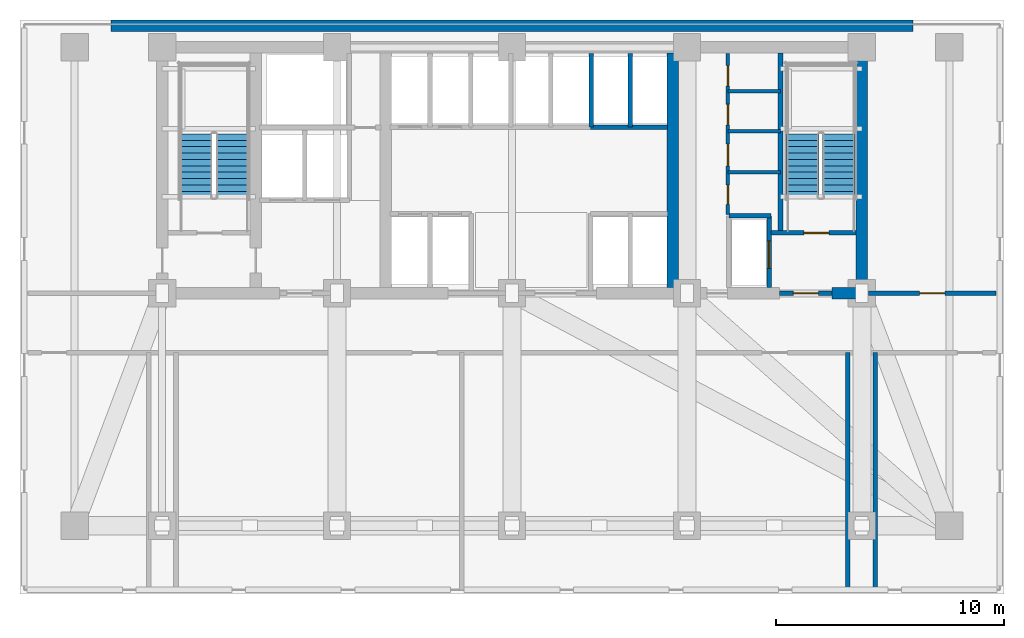
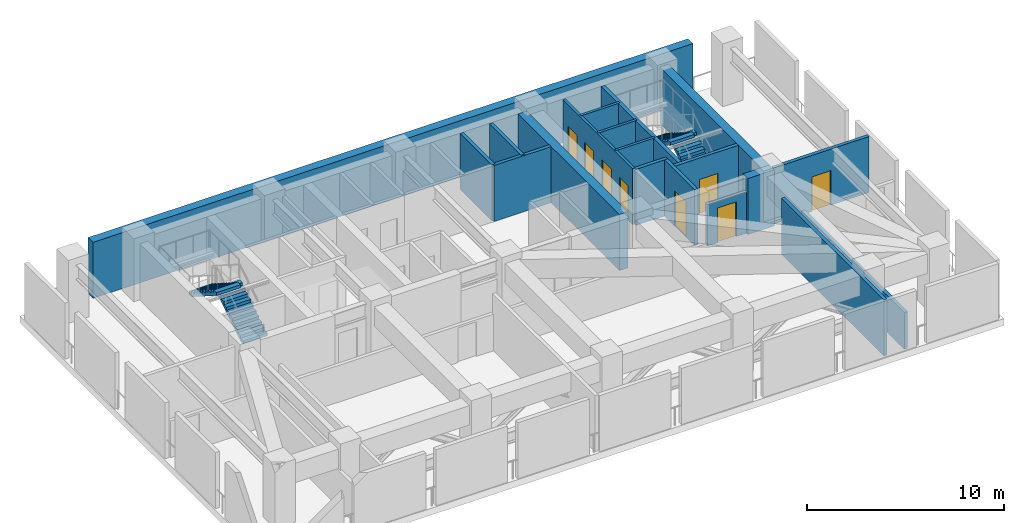
# One storey, part 3 of 7: 19 walls, 8 doors, 4 stair flights, 8 openings, 2 elements without a shape of their own.
"""IFC4 building model written with IfcOpenShell, lengths in metres."""

import ifcopenshell
import ifcopenshell.guid

model = None  # the IFC model being written
_history = None  # IfcOwnerHistory: only IFC2X3 demands one
_inside = {}  # id of a spatial element -> (the spatial element, [elements in it])
_under = {}  # id of a project, library or spatial element -> (it, [spatial elements below it])
_declared = {}  # id of a project -> (the project, [libraries it declares])
_typed = {}  # id of a type object -> (the type object, [elements of that type])
_made_of = {}  # id of a material, layer set ... -> (it, [elements and type objects made of it])


def new_model(schema):
    """Start an empty IFC model of exactly this schema.

    Asked for "IFC4X3", IfcOpenShell would pick the latest addendum, in which some entities
    have other attributes; the version numbers below select the first issue.
    IFC2X3 requires an IfcOwnerHistory on every rooted entity: one is made here for all.
    """
    global model, _history
    if schema == "IFC4X3":
        model = ifcopenshell.file(schema_version=(4, 3, 0, 0))
    else:
        model = ifcopenshell.file(schema=schema)
    _inside.clear()
    _under.clear()
    _declared.clear()
    _typed.clear()
    _made_of.clear()
    _history = None
    if model.schema == "IFC2X3":
        org = make("IfcOrganization", Name="unknown")
        user = make(
            "IfcPersonAndOrganization",
            ThePerson=make("IfcPerson", FamilyName="unknown"),
            TheOrganization=org,
        )
        app = make(
            "IfcApplication",
            ApplicationDeveloper=org,
            Version="unknown",
            ApplicationFullName="unknown",
            ApplicationIdentifier="unknown",
        )
        _history = make(
            "IfcOwnerHistory",
            OwningUser=user,
            OwningApplication=app,
            ChangeAction="ADDED",
            CreationDate=0,
        )
    return model


def make(cls, **values):
    """One entity of the class cls with the attributes given. An attribute that is None is left unset."""
    return model.create_entity(
        cls, **{name: value for name, value in values.items() if value is not None}
    )


def rooted(cls, **values):
    """An entity with a GlobalId (a new one), such as an element, a storey or a relation."""
    return make(cls, GlobalId=ifcopenshell.guid.new(), OwnerHistory=_history, **values)


def si_unit(unit_type, name, prefix=None):
    """IfcSIUnit, for example si_unit("LENGTHUNIT", "METRE", prefix="MILLI")."""
    return make("IfcSIUnit", UnitType=unit_type, Prefix=prefix, Name=name)


def assignment(units):
    """IfcUnitAssignment: the units of a project."""
    return None if units is None else make("IfcUnitAssignment", Units=units)


def point(xyz):
    """IfcCartesianPoint."""
    return None if xyz is None else make("IfcCartesianPoint", Coordinates=xyz)


def direction(xyz):
    """IfcDirection."""
    return None if xyz is None else make("IfcDirection", DirectionRatios=xyz)


def frame(location, z_axis=None, x_axis=None):
    """IfcAxis2Placement3D, a coordinate frame: its origin and axes. An axis left out is left unset."""
    return make(
        "IfcAxis2Placement3D",
        Location=point(location),
        Axis=direction(z_axis),
        RefDirection=direction(x_axis),
    )


def frame_2d(location, x_axis=None):
    """IfcAxis2Placement2D, a coordinate frame in the plane: its origin and x axis."""
    return make(
        "IfcAxis2Placement2D", Location=point(location), RefDirection=direction(x_axis)
    )


def origin():
    """The frame at (0, 0, 0) with its axes left unset."""
    return frame((0.0, 0.0, 0.0))


def place(relative_to, where):
    """IfcLocalPlacement: puts the frame where relative to a parent placement (None: the world)."""
    return make(
        "IfcLocalPlacement", PlacementRelTo=relative_to, RelativePlacement=where
    )


def context(
    kind, dimensions, precision=None, world=None, true_north=None, identifier=None
):
    """IfcGeometricRepresentationContext, for example the 3D "Model" context."""
    return make(
        "IfcGeometricRepresentationContext",
        ContextIdentifier=identifier,
        ContextType=kind,
        CoordinateSpaceDimension=dimensions,
        Precision=precision,
        WorldCoordinateSystem=world,
        TrueNorth=true_north,
    )


def subcontext(parent, identifier, kind, view, scale=None):
    """IfcGeometricRepresentationSubContext, for example "Body" below "Model"."""
    return make(
        "IfcGeometricRepresentationSubContext",
        ContextIdentifier=identifier,
        ContextType=kind,
        ParentContext=parent,
        TargetScale=scale,
        TargetView=view,
    )


def project(units=None, contexts=None):
    """IfcProject with its units and contexts."""
    return rooted(
        "IfcProject",
        Name="project",
        RepresentationContexts=contexts,
        UnitsInContext=assignment(units),
    )


def spatial(cls, under=None, at=None, **own):
    """A site, building, storey or space (cls), placed at a placement, below another one or the project."""
    s = rooted(cls, ObjectPlacement=at, **own)
    if under is not None:
        _under.setdefault(under.id(), (under, []))[1].append(s)
    return s


def polyline(points):
    """IfcPolyline through the points."""
    return make("IfcPolyline", Points=[point(p) for p in points])


def profile(cls, at=None, kind="AREA", **sizes):
    """A parametric profile (cls). Its sizes go by their IFC names, for example OverallWidth=200.0."""
    return make(cls, ProfileType=kind, Position=at, **sizes)


def rectangle(**sizes):
    """IfcRectangleProfileDef."""
    return profile("IfcRectangleProfileDef", **sizes)


def outline(outer, holes=None, kind="AREA"):
    """IfcArbitraryClosedProfileDef: a profile drawn as a closed curve; with holes, ...WithVoids."""
    if holes is None:
        return make("IfcArbitraryClosedProfileDef", ProfileType=kind, OuterCurve=outer)
    return make(
        "IfcArbitraryProfileDefWithVoids",
        ProfileType=kind,
        OuterCurve=outer,
        InnerCurves=holes,
    )


def extrude(swept, where, along, depth):
    """IfcExtrudedAreaSolid: the profile swept, set in the frame where, extruded along a direction by depth."""
    return make(
        "IfcExtrudedAreaSolid",
        SweptArea=swept,
        Position=where,
        ExtrudedDirection=direction(along),
        Depth=depth,
    )


def shape(context_of_items, identifier, shape_type, items):
    """IfcShapeRepresentation: the items that make up one representation, for example the "Body"."""
    return make(
        "IfcShapeRepresentation",
        ContextOfItems=context_of_items,
        RepresentationIdentifier=identifier,
        RepresentationType=shape_type,
        Items=items,
    )


def material(Name=None, Category=None):
    """IfcMaterial."""
    return make("IfcMaterial", Name=Name, Category=Category)


def layer(
    of_material, thickness, ventilated=None, Name=None, Category=None, Priority=None
):
    """IfcMaterialLayer: one layer of a wall or slab, of a material (None: an air gap)."""
    return make(
        "IfcMaterialLayer",
        Material=of_material,
        LayerThickness=thickness,
        IsVentilated=ventilated,
        Name=Name,
        Category=Category,
        Priority=Priority,
    )


def layer_set(layers, Name=None):
    """IfcMaterialLayerSet."""
    return make("IfcMaterialLayerSet", MaterialLayers=layers, LayerSetName=Name)


def made_of(thing, what):
    """Note that an element or type object is made of a material, layer set ...; save() writes the relation."""
    if what is not None:
        _made_of.setdefault(what.id(), (what, []))[1].append(thing)
    return thing


def type_object(cls, material=None, **own):
    """A type object (cls), such as IfcWallType, which elements share."""
    return made_of(rooted(cls, **own), material)


def element(
    cls,
    number,
    at=None,
    inside=None,
    cuts=None,
    type_object=None,
    material=None,
    context=None,
    identifier="Body",
    shape_type=None,
    held_by="IfcProductDefinitionShape",
    body=None,
    shapes=None,
    **own,
):
    """One element of the class cls, such as IfcWall. Its Tag is "e" and its number.

    at: its placement. inside: the storey or other place that contains it. cuts: it is an
    opening in that element (IfcRelVoidsElement). A single representation is given by context,
    identifier, shape_type and body (its items); several are given by shapes. held_by: the class
    of the entity that holds the representations. save() writes the other relations.
    """
    e = rooted(cls, Tag="e%d" % number, ObjectPlacement=at, **own)
    if body is not None:
        shapes = [shape(context, identifier, shape_type, body)]
    if shapes is not None:
        e.Representation = make(held_by, Representations=shapes)
    if inside is not None:
        _inside.setdefault(inside.id(), (inside, []))[1].append(e)
    if cuts is not None:
        rooted(
            "IfcRelVoidsElement", RelatingBuildingElement=cuts, RelatedOpeningElement=e
        )
    if type_object is not None:
        _typed.setdefault(type_object.id(), (type_object, []))[1].append(e)
    return made_of(e, material)


def fill(opening, filler):
    """IfcRelFillsElement: the door or window that sits in an opening."""
    return rooted(
        "IfcRelFillsElement",
        RelatingOpeningElement=opening,
        RelatedBuildingElement=filler,
    )


def aggregate(whole, parts):
    """IfcRelAggregates: a whole, such as a stair, and the parts it consists of."""
    return rooted("IfcRelAggregates", RelatingObject=whole, RelatedObjects=parts)


def save(model, path):
    """Write the relations noted so far, then the file.

    IfcRelAggregates (storeys below a building ...), IfcRelContainedInSpatialStructure (elements
    in a storey), IfcRelDefinesByType, IfcRelAssociatesMaterial and IfcRelDeclares: one each for
    every whole, place, type object, material and project.
    """
    for whole, parts in _under.values():
        aggregate(whole, parts)
    for where, things in _inside.values():
        rooted(
            "IfcRelContainedInSpatialStructure",
            RelatedElements=things,
            RelatingStructure=where,
        )
    for kind, things in _typed.values():
        rooted("IfcRelDefinesByType", RelatedObjects=things, RelatingType=kind)
    for what, things in _made_of.values():
        rooted("IfcRelAssociatesMaterial", RelatedObjects=things, RelatingMaterial=what)
    for by, libraries in _declared.values():
        rooted("IfcRelDeclares", RelatingContext=by, RelatedDefinitions=libraries)
    model.write(path)


model = new_model("IFC4")

# Units and contexts
model_context = context("Model", 3, precision=1e-05, world=origin(), true_north=direction((0.0, 1.0)))
body_context = subcontext(model_context, "Body", "Model", "MODEL_VIEW")
ifc_project = project(units=[si_unit("LENGTHUNIT", "METRE"), si_unit("AREAUNIT", "SQUARE_METRE"), si_unit("VOLUMEUNIT", "CUBIC_METRE"), si_unit("PLANEANGLEUNIT", "RADIAN"), si_unit("MASSUNIT", "GRAM", prefix="KILO")], contexts=[model_context])

# Site, building, storey
site_placement = place(None, origin())
site = spatial("IfcSite", under=ifc_project, at=site_placement, CompositionType="ELEMENT")
building_placement = place(site_placement, origin())
building = spatial("IfcBuilding", under=site, at=building_placement, Name="Yelkora Congress Tower", CompositionType="ELEMENT")
storey_placement = place(building_placement, frame((0.0, 0.0, 85.800048828125)))
storey = spatial("IfcBuildingStorey", under=building, at=storey_placement, Name="L22", CompositionType="ELEMENT", Elevation=85.800048828125)

# Walls
ifc_material_1 = material(Name="Concrete C60/75", Category="concrete")
ifc_layer_1 = layer(ifc_material_1, 0.5)
ifc_layer_set_1 = layer_set([ifc_layer_1], Name="Concrete C60/75")
wall_type_1 = type_object("IfcWallType", Name="WALL-CORE-EXT-500", PredefinedType="SHEAR", material=ifc_layer_set_1)
wall_1_placement = place(storey_placement, frame((20.800048828125, 47.14990234375, 0.0), z_axis=(0.0, 0.0, 1.0), x_axis=(1.0, 0.0, 0.0)))
element("IfcWall", 1, at=wall_1_placement, inside=storey, type_object=wall_type_1, Name="L22 Exterior North Core Shear Wall", PredefinedType="SHEAR", context=body_context, shape_type="SweptSolid", body=[
    extrude(rectangle(XDim=35.199951171875, YDim=0.5, at=frame_2d((17.60009765625, 0.0))), origin(), (0.0, 0.0, 1.0), 3.47998046875),
])
ifc_material_2 = material(Name="Concrete C50/60", Category="concrete")
ifc_layer_2 = layer(ifc_material_2, 0.219970703125)
ifc_layer_set_2 = layer_set([ifc_layer_2], Name="Concrete C50/60")
wall_type_2 = type_object("IfcWallType", Name="WALL-CORE-INT-220", PredefinedType="SHEAR", material=ifc_layer_set_2)
wall_2_placement = place(storey_placement, frame((50.179931640625, 38.050048828125, 0.0), z_axis=(0.0, 0.0, 1.0), x_axis=(0.0, 1.0, 0.0)))
element("IfcWall", 2, at=wall_2_placement, inside=storey, type_object=wall_type_2, Name="L22 ST02 West Stair Shear Wall", PredefinedType="SHEAR", context=body_context, shape_type="SweptSolid", body=[
    extrude(rectangle(XDim=7.89990234375, YDim=0.219970703125, at=frame_2d((3.949951171875, 0.0))), origin(), (0.0, 0.0, 1.0), 3.47998046875),
])
ifc_layer_3 = layer(ifc_material_1, 0.5)
ifc_layer_set_3 = layer_set([ifc_layer_3], Name="Concrete C60/75")
wall_type_3 = type_object("IfcWallType", Name="WALL-CORE-INT-500", PredefinedType="SHEAR", material=ifc_layer_set_3)
wall_3_placement = place(storey_placement, frame((52.449951171875, 35.39990234375, 0.0), z_axis=(0.0, 0.0, 1.0), x_axis=(1.0, 0.0, 0.0)))
element("IfcWall", 3, at=wall_3_placement, inside=storey, type_object=wall_type_3, Name="L22 Rear Core South-East Shear Wall B", PredefinedType="SHEAR", context=body_context, shape_type="SweptSolid", body=[
    extrude(rectangle(XDim=1.56005859375, YDim=0.5, at=frame_2d((0.780029296875, 0.0))), origin(), (0.0, 0.0, 1.0), 3.47998046875),
])
for number, where, z_axis, x_axis, name in (
    (4, (45.449951171875, 35.64990234375, 0.0), (0.0, 0.0, 1.0), (0.0, 1.0, 0.0), "L22 Rear Core Cross Shear Wall C3"),
    (5, (53.760009765625, 35.64990234375, 0.0), (0.0, 0.0, 1.0), (0.0, 1.0, 0.0), "L22 Rear Core Cross Shear Wall E"),
):
    element("IfcWall", number, at=place(storey_placement, frame(where, z_axis=z_axis, x_axis=x_axis)), inside=storey, type_object=wall_type_3, Name=name, PredefinedType="SHEAR", context=body_context, shape_type="SweptSolid", body=[
        extrude(rectangle(XDim=10.300048828125, YDim=0.5, at=frame_2d((5.14990234375, 0.0))), origin(), (0.0, 0.0, 1.0), 3.47998046875),
    ])
ifc_material_3 = material(Name="Acoustic metal-stud gypsum partition", Category="gypsum")
ifc_layer_4 = layer(ifc_material_3, 0.14990234375)
ifc_layer_set_4 = layer_set([ifc_layer_4], Name="Acoustic metal-stud gypsum partition")
wall_type_4 = type_object("IfcWallType", Name="WALL-INT-150-NR", PredefinedType="PARTITIONING", material=ifc_layer_set_4)
for number, where, z_axis, x_axis, name in (
    (6, (47.8798828125, 40.719970703125, 0.0), (0.0, 0.0, 1.0), (1.0, 0.0, 0.0), "L22 Partition Wall 28"),
    (7, (47.8798828125, 42.52001953125, 0.0), (0.0, 0.0, 1.0), (1.0, 0.0, 0.0), "L22 Partition Wall 29"),
    (8, (47.8798828125, 44.280029296875, 0.0), (0.0, 0.0, 1.0), (1.0, 0.0, 0.0), "L22 Partition Wall 30"),
):
    element("IfcWall", number, at=place(storey_placement, frame(where, z_axis=z_axis, x_axis=x_axis)), inside=storey, type_object=wall_type_4, Name=name, PredefinedType="PARTITIONING", context=body_context, shape_type="SweptSolid", body=[
        extrude(rectangle(XDim=2.300048828125, YDim=0.14990234375, at=frame_2d((1.14990234375, 0.0))), origin(), (0.0, 0.0, 1.0), 3.47998046875),
    ])

# Wall, openings, doors
wall_4_placement = place(storey_placement, frame((47.8798828125, 38.85009765625, 0.0), z_axis=(0.0, 0.0, 1.0), x_axis=(0.0, 1.0, 0.0)))
wall_4 = element("IfcWall", 9, at=wall_4_placement, inside=storey, type_object=wall_type_4, Name="L22 Partition Wall 31", PredefinedType="PARTITIONING", context=body_context, shape_type="SweptSolid", body=[
    extrude(rectangle(XDim=7.06982421875, YDim=0.14990234375, at=frame_2d((3.534912109375, 0.0))), origin(), (0.0, 0.0, 1.0), 3.47998046875),
])
opening_1_placement = place(wall_4_placement, frame((0.449951171875, 0.0, 0.0)))
opening_1 = element("IfcOpeningElement", 10, at=opening_1_placement, cuts=wall_4, Name="Opening DR-085N", PredefinedType="OPENING", context=body_context, shape_type="SweptSolid", body=[
    extrude(rectangle(XDim=0.85009765625, YDim=2.14990234375, at=frame_2d((0.425048828125, 1.074951171875))), frame((0.0, 0.0849609375, 0.0), z_axis=(0.0, -1.0, 0.0), x_axis=(1.0, 0.0, 0.0)), (0.0, 0.0, 1.0), 0.169921875),
])
opening_2_placement = place(wall_4_placement, frame((2.14990234375, 0.0, 0.0)))
opening_2 = element("IfcOpeningElement", 11, at=opening_2_placement, cuts=wall_4, Name="Opening DR-095N", PredefinedType="OPENING", context=body_context, shape_type="SweptSolid", body=[
    extrude(rectangle(XDim=0.949951171875, YDim=2.14990234375, at=frame_2d((0.47509765625, 1.074951171875))), frame((0.0, 0.0849609375, 0.0), z_axis=(0.0, -1.0, 0.0), x_axis=(1.0, 0.0, 0.0)), (0.0, 0.0, 1.0), 0.169921875),
])
opening_3_placement = place(wall_4_placement, frame((3.949951171875, 0.0, 0.0)))
opening_3 = element("IfcOpeningElement", 12, at=opening_3_placement, cuts=wall_4, Name="Opening DR-090N", PredefinedType="OPENING", context=body_context, shape_type="SweptSolid", body=[
    extrude(rectangle(XDim=0.89990234375, YDim=2.14990234375, at=frame_2d((0.449951171875, 1.074951171875))), frame((0.0, 0.0849609375, 0.0), z_axis=(0.0, -1.0, 0.0), x_axis=(1.0, 0.0, 0.0)), (0.0, 0.0, 1.0), 0.169921875),
])
opening_4_placement = place(wall_4_placement, frame((5.64990234375, 0.0, 0.0)))
opening_4 = element("IfcOpeningElement", 13, at=opening_4_placement, cuts=wall_4, Name="Opening DR-090N", PredefinedType="OPENING", context=body_context, shape_type="SweptSolid", body=[
    extrude(rectangle(XDim=0.89990234375, YDim=2.14990234375, at=frame_2d((0.449951171875, 1.074951171875))), frame((0.0, 0.0849609375, 0.0), z_axis=(0.0, -1.0, 0.0), x_axis=(1.0, 0.0, 0.0)), (0.0, 0.0, 1.0), 0.169921875),
])
ifc_material_4 = material(Name="Laminate service store door leaf", Category="wood")
door_type_1 = type_object("IfcDoorType", Name="DOOR-INT-850", OperationType="NOTDEFINED", PredefinedType="DOOR", material=ifc_material_4)
door_1_placement = place(opening_1_placement, origin())
door_1 = element("IfcDoor", 14, at=door_1_placement, inside=storey, type_object=door_type_1, Name="L22 Janitor Room Door", OperationType="SINGLE_SWING_RIGHT", OverallHeight=2.14990234375, OverallWidth=0.85009765625, PredefinedType="DOOR", context=body_context, shape_type="SweptSolid", body=[
    extrude(rectangle(XDim=0.85009765625, YDim=2.14990234375, at=frame_2d((0.425048828125, 1.074951171875))), frame((0.0, 0.02490234375, 0.0), z_axis=(0.0, -1.0, 0.0), x_axis=(1.0, 0.0, 0.0)), (0.0, 0.0, 1.0), 0.050048828125),
])
fill(opening_1, door_1)
ifc_material_5 = material(Name="Moisture-resistant laminate door leaf", Category="wood")
door_type_2 = type_object("IfcDoorType", Name="DOOR-INT-900", OperationType="NOTDEFINED", PredefinedType="DOOR", material=ifc_material_5)
door_2_placement = place(opening_3_placement, origin())
door_2 = element("IfcDoor", 15, at=door_2_placement, inside=storey, type_object=door_type_2, Name="L22 Male WC Door", OperationType="SINGLE_SWING_RIGHT", OverallHeight=2.14990234375, OverallWidth=0.89990234375, PredefinedType="DOOR", context=body_context, shape_type="SweptSolid", body=[
    extrude(rectangle(XDim=0.89990234375, YDim=2.14990234375, at=frame_2d((0.449951171875, 1.074951171875))), frame((0.0, 0.02490234375, 0.0), z_axis=(0.0, -1.0, 0.0), x_axis=(1.0, 0.0, 0.0)), (0.0, 0.0, 1.0), 0.050048828125),
])
fill(opening_3, door_2)
door_3_placement = place(opening_4_placement, origin())
door_3 = element("IfcDoor", 16, at=door_3_placement, inside=storey, type_object=door_type_2, Name="L22 Female WC Door", OperationType="SINGLE_SWING_LEFT", OverallHeight=2.14990234375, OverallWidth=0.89990234375, PredefinedType="DOOR", context=body_context, shape_type="SweptSolid", body=[
    extrude(rectangle(XDim=0.89990234375, YDim=2.14990234375, at=frame_2d((0.449951171875, 1.074951171875))), frame((0.0, 0.02490234375, 0.0), z_axis=(0.0, -1.0, 0.0), x_axis=(1.0, 0.0, 0.0)), (0.0, 0.0, 1.0), 0.050048828125),
])
fill(opening_4, door_3)
ifc_material_6 = material(Name="Acoustic laminated timber office door", Category="wood")
door_type_3 = type_object("IfcDoorType", Name="DOOR-INT-950", OperationType="NOTDEFINED", PredefinedType="DOOR", material=ifc_material_6)
door_4_placement = place(opening_2_placement, origin())
door_4 = element("IfcDoor", 17, at=door_4_placement, inside=storey, type_object=door_type_3, Name="L22 Accessible WC Door", OperationType="SINGLE_SWING_LEFT", OverallHeight=2.14990234375, OverallWidth=0.949951171875, PredefinedType="DOOR", context=body_context, shape_type="SweptSolid", body=[
    extrude(rectangle(XDim=0.949951171875, YDim=2.14990234375, at=frame_2d((0.47509765625, 1.074951171875))), frame((0.0, 0.02490234375, 0.0), z_axis=(0.0, -1.0, 0.0), x_axis=(1.0, 0.0, 0.0)), (0.0, 0.0, 1.0), 0.050048828125),
])
fill(opening_2, door_4)

# Walls
ifc_material_7 = material(Name="Autoclaved aerated concrete blockwork", Category="masonry")
ifc_layer_5 = layer(ifc_material_7, 0.199951171875)
ifc_layer_set_5 = layer_set([ifc_layer_5], Name="Autoclaved aerated concrete blockwork")
wall_type_5 = type_object("IfcWallType", Name="WALL-INT-200-R120", PredefinedType="PARTITIONING", material=ifc_layer_set_5)
wall_5_placement = place(storey_placement, frame((41.85009765625, 42.699951171875, 0.0), z_axis=(0.0, 0.0, 1.0), x_axis=(1.0, 0.0, 0.0)))
element("IfcWall", 18, at=wall_5_placement, inside=storey, type_object=wall_type_5, Name="L22 Partition Wall 18", PredefinedType="PARTITIONING", context=body_context, shape_type="SweptSolid", body=[
    extrude(rectangle(XDim=3.369873046875, YDim=0.199951171875, at=frame_2d((1.68505859375, 0.0))), origin(), (0.0, 0.0, 1.0), 3.47998046875),
])
for number, where, z_axis, x_axis, name in (
    (19, (43.60009765625, 42.699951171875, 0.0), (0.0, 0.0, 1.0), (0.0, 1.0, 0.0), "L22 Partition Wall 20"),
    (20, (41.8798828125, 42.699951171875, 0.0), (0.0, 0.0, 1.0), (0.0, 1.0, 0.0), "L22 Partition Wall 22"),
):
    element("IfcWall", number, at=place(storey_placement, frame(where, z_axis=z_axis, x_axis=x_axis)), inside=storey, type_object=wall_type_5, Name=name, PredefinedType="PARTITIONING", context=body_context, shape_type="SweptSolid", body=[
        extrude(rectangle(XDim=3.219970703125, YDim=0.199951171875, at=frame_2d((1.60986328125, 0.0))), origin(), (0.0, 0.0, 1.0), 3.47998046875),
    ])

# Wall, opening, door
wall_6_placement = place(storey_placement, frame((49.780029296875, 38.050048828125, 0.0), z_axis=(0.0, 0.0, 1.0), x_axis=(1.0, 0.0, 0.0)))
wall_6 = element("IfcWall", 21, at=wall_6_placement, inside=storey, type_object=wall_type_5, Name="L22 Stair ST-02 Enclosure Wall", PredefinedType="PARTITIONING", context=body_context, shape_type="SweptSolid", body=[
    extrude(rectangle(XDim=3.719970703125, YDim=0.199951171875, at=frame_2d((1.85986328125, 0.0))), origin(), (0.0, 0.0, 1.0), 3.47998046875),
])
opening_5_placement = place(wall_6_placement, frame((1.436279296875, 0.0, 0.0)))
opening_5 = element("IfcOpeningElement", 22, at=opening_5_placement, cuts=wall_6, Name="Opening DR-110F9", PredefinedType="OPENING", context=body_context, shape_type="SweptSolid", body=[
    extrude(rectangle(XDim=1.10009765625, YDim=2.14990234375, at=frame_2d((0.550048828125, 1.074951171875))), frame((0.0, 0.10986328125, 0.0), z_axis=(0.0, -1.0, 0.0), x_axis=(1.0, 0.0, 0.0)), (0.0, 0.0, 1.0), 0.219970703125),
])
ifc_material_8 = material(Name="Galvanised steel fire door leaf", Category="steel")
door_type_4 = type_object("IfcDoorType", Name="DOOR-FD90-1100", OperationType="NOTDEFINED", PredefinedType="DOOR", material=ifc_material_8)
door_5_placement = place(opening_5_placement, origin())
door_5 = element("IfcDoor", 23, at=door_5_placement, inside=storey, type_object=door_type_4, Name="L22 Stair ST-02 Entry Door", OperationType="SINGLE_SWING_LEFT", OverallHeight=2.14990234375, OverallWidth=1.10009765625, PredefinedType="DOOR", context=body_context, shape_type="SweptSolid", body=[
    extrude(rectangle(XDim=1.10009765625, YDim=2.14990234375, at=frame_2d((0.550048828125, 1.074951171875))), frame((0.0, 0.02490234375, 0.0), z_axis=(0.0, -1.0, 0.0), x_axis=(1.0, 0.0, 0.0)), (0.0, 0.0, 1.0), 0.050048828125),
])
fill(opening_5, door_5)

wall_7_placement = place(storey_placement, frame((50.14990234375, 35.39990234375, 0.0), z_axis=(0.0, 0.0, 1.0), x_axis=(1.0, 0.0, 0.0)))
wall_7 = element("IfcWall", 24, at=wall_7_placement, inside=storey, type_object=wall_type_5, Name="L22 Partition Wall 24", PredefinedType="PARTITIONING", context=body_context, shape_type="SweptSolid", body=[
    extrude(rectangle(XDim=2.300048828125, YDim=0.199951171875, at=frame_2d((1.14990234375, 0.0))), origin(), (0.0, 0.0, 1.0), 2.56494140625),
])
opening_6_placement = place(wall_7_placement, frame((0.60009765625, 0.0, 0.0)))
opening_6 = element("IfcOpeningElement", 25, at=opening_6_placement, cuts=wall_7, Name="Opening DR-110F9", PredefinedType="OPENING", context=body_context, shape_type="SweptSolid", body=[
    extrude(rectangle(XDim=1.10009765625, YDim=2.14990234375, at=frame_2d((0.550048828125, 1.074951171875))), frame((0.0, 0.10986328125, 0.0), z_axis=(0.0, -1.0, 0.0), x_axis=(1.0, 0.0, 0.0)), (0.0, 0.0, 1.0), 0.219970703125),
])
door_6_placement = place(opening_6_placement, origin())
door_6 = element("IfcDoor", 26, at=door_6_placement, inside=storey, type_object=door_type_4, Name="L22 East Stair Lobby Door", OperationType="SINGLE_SWING_RIGHT", OverallHeight=2.14990234375, OverallWidth=1.10009765625, PredefinedType="DOOR", context=body_context, shape_type="SweptSolid", body=[
    extrude(rectangle(XDim=1.10009765625, YDim=2.14990234375, at=frame_2d((0.550048828125, 1.074951171875))), frame((0.0, 0.02490234375, 0.0), z_axis=(0.0, -1.0, 0.0), x_axis=(1.0, 0.0, 0.0)), (0.0, 0.0, 1.0), 0.050048828125),
])
fill(opening_6, door_6)

wall_8_placement = place(storey_placement, frame((49.699951171875, 35.64990234375, 0.0), z_axis=(0.0, 0.0, 1.0), x_axis=(0.0, 1.0, 0.0)))
wall_8 = element("IfcWall", 27, at=wall_8_placement, inside=storey, type_object=wall_type_5, Name="L22 Partition Wall 25", PredefinedType="PARTITIONING", context=body_context, shape_type="SweptSolid", body=[
    extrude(rectangle(XDim=3.150146484375, YDim=0.199951171875, at=frame_2d((1.5751953125, 0.0))), origin(), (0.0, 0.0, 1.0), 3.47998046875),
])
opening_7_placement = place(wall_8_placement, frame((0.85009765625, 0.0, 0.0)))
opening_7 = element("IfcOpeningElement", 28, at=opening_7_placement, cuts=wall_8, Name="Opening LD-SV12", PredefinedType="OPENING", context=body_context, shape_type="SweptSolid", body=[
    extrude(rectangle(XDim=1.199951171875, YDim=2.199951171875, at=frame_2d((0.60009765625, 1.10009765625))), frame((0.0, 0.10986328125, 0.0), z_axis=(0.0, -1.0, 0.0), x_axis=(1.0, 0.0, 0.0)), (0.0, 0.0, 1.0), 0.219970703125),
])
ifc_material_9 = material(Name="Heavy-duty stainless steel landing door", Category="steel")
door_type_5 = type_object("IfcDoorType", Name="DOOR-LIFT-SRV-1200", OperationType="DOUBLE_DOOR_SLIDING", PredefinedType="DOOR", material=ifc_material_9)
door_7_placement = place(opening_7_placement, origin())
door_7 = element("IfcDoor", 29, at=door_7_placement, inside=storey, type_object=door_type_5, Name="Service Lift Landing Door LF-SV1 L22", OperationType="DOUBLE_DOOR_SLIDING", OverallHeight=2.199951171875, OverallWidth=1.199951171875, PredefinedType="DOOR", context=body_context, shape_type="SweptSolid", body=[
    extrude(rectangle(XDim=1.199951171875, YDim=2.199951171875, at=frame_2d((0.60009765625, 1.10009765625))), frame((0.0, 0.02490234375, 0.0), z_axis=(0.0, -1.0, 0.0), x_axis=(1.0, 0.0, 0.0)), (0.0, 0.0, 1.0), 0.050048828125),
])
fill(opening_7, door_7)

# Wall
wall_9_placement = place(storey_placement, frame((47.919921875, 38.800048828125, 0.0), z_axis=(0.0, 0.0, 1.0), x_axis=(1.0, 0.0, 0.0)))
element("IfcWall", 30, at=wall_9_placement, inside=storey, type_object=wall_type_5, Name="L22 Partition Wall 27", PredefinedType="PARTITIONING", context=body_context, shape_type="SweptSolid", body=[
    extrude(rectangle(XDim=1.860107421875, YDim=0.199951171875, at=frame_2d((0.93017578125, 0.0))), origin(), (0.0, 0.0, 1.0), 3.47998046875),
])

# Wall, opening, door
wall_10_placement = place(storey_placement, frame((54.050048828125, 35.39990234375, 0.0), z_axis=(0.0, 0.0, 1.0), x_axis=(1.0, 0.0, 0.0)))
wall_10 = element("IfcWall", 31, at=wall_10_placement, inside=storey, type_object=wall_type_5, Name="L22 Partition Wall 33", PredefinedType="PARTITIONING", context=body_context, shape_type="SweptSolid", body=[
    extrude(rectangle(XDim=5.599853515625, YDim=0.199951171875, at=frame_2d((2.7998046875, 0.0))), origin(), (0.0, 0.0, 1.0), 3.47998046875),
])
opening_8_placement = place(wall_10_placement, frame((2.25, 0.0, 0.0)))
opening_8 = element("IfcOpeningElement", 32, at=opening_8_placement, cuts=wall_10, Name="Opening DR-110F9", PredefinedType="OPENING", context=body_context, shape_type="SweptSolid", body=[
    extrude(rectangle(XDim=1.10009765625, YDim=2.14990234375, at=frame_2d((0.550048828125, 1.074951171875))), frame((0.0, 0.10986328125, 0.0), z_axis=(0.0, -1.0, 0.0), x_axis=(1.0, 0.0, 0.0)), (0.0, 0.0, 1.0), 0.219970703125),
])
door_8_placement = place(opening_8_placement, origin())
door_8 = element("IfcDoor", 33, at=door_8_placement, inside=storey, type_object=door_type_4, Name="L22 Interior Door 18", OperationType="SINGLE_SWING_RIGHT", OverallHeight=2.14990234375, OverallWidth=1.10009765625, PredefinedType="DOOR", context=body_context, shape_type="SweptSolid", body=[
    extrude(rectangle(XDim=1.10009765625, YDim=2.14990234375, at=frame_2d((0.550048828125, 1.074951171875))), frame((0.0, 0.02490234375, 0.0), z_axis=(0.0, -1.0, 0.0), x_axis=(1.0, 0.0, 0.0)), (0.0, 0.0, 1.0), 0.050048828125),
])
fill(opening_8, door_8)

# Walls
wall_11_placement = place(storey_placement, frame((53.14990234375, 22.3798828125, 0.0), z_axis=(0.0, 0.0, 1.0), x_axis=(0.0, 1.0, 0.0)))
element("IfcWall", 34, at=wall_11_placement, inside=storey, type_object=wall_type_5, Name="L22 Partition Wall 37", PredefinedType="PARTITIONING", context=body_context, shape_type="SweptSolid", body=[
    extrude(rectangle(XDim=10.420166015625, YDim=0.199951171875, at=frame_2d((5.2099609375, 0.0))), origin(), (0.0, 0.0, 1.0), 3.47998046875),
])
wall_12_placement = place(storey_placement, frame((54.35009765625, 22.3798828125, 0.0), z_axis=(0.0, 0.0, 1.0), x_axis=(0.0, 1.0, 0.0)))
element("IfcWall", 35, at=wall_12_placement, inside=storey, type_object=wall_type_5, Name="L22 Partition Wall 38", PredefinedType="PARTITIONING", context=body_context, shape_type="SweptSolid", body=[
    extrude(rectangle(XDim=10.420166015625, YDim=0.199951171875, at=frame_2d((5.2099609375, 0.0))), origin(), (0.0, 0.0, 1.0), 2.27490234375),
])

# Stair, stair flights
ifc_material_10 = material(Name="Concrete C40/50", Category="concrete")
stair_type = type_object("IfcStairType", Name="STAIR-HT-1420-R22-177", PredefinedType="HALF_TURN_STAIR", material=ifc_material_10)
stair_1_placement = place(storey_placement, origin())
stair_1 = element("IfcStair", 36, at=stair_1_placement, inside=storey, type_object=stair_type, Name="West Core Protected Exit Stair ST-01 (L22)", PredefinedType="HALF_TURN_STAIR")
stair_flight_type = type_object("IfcStairFlightType", Name="FLIGHT-1420-N11-R177-G280", PredefinedType="STRAIGHT", material=ifc_material_10)
stair_flight_1_placement = place(storey_placement, frame((26.110107421875, 39.60009765625, 0.0), z_axis=(0.0, 0.0, 1.0), x_axis=(0.0, 1.0, 0.0)))
stair_flight_1 = element("IfcStairFlight", 37, at=stair_flight_1_placement, type_object=stair_flight_type, Name="ST-01 L22 Flight 1", NumberOfRisers=11, NumberOfTreads=10, PredefinedType="STRAIGHT", RiserHeight=0.177272727, TreadLength=0.28, context=body_context, shape_type="SweptSolid", body=[
    extrude(outline(polyline([(0.0, 0.0), (0.0, 0.17724609375), (0.280029296875, 0.17724609375), (0.280029296875, 0.3544921875), (0.56005859375, 0.3544921875), (0.56005859375, 0.53173828125), (0.840087890625, 0.53173828125), (0.840087890625, 0.708984375), (1.1201171875, 0.708984375), (1.1201171875, 0.886474609375), (1.39990234375, 0.886474609375), (1.39990234375, 1.063720703125), (1.679931640625, 1.063720703125), (1.679931640625, 1.240966796875), (1.9599609375, 1.240966796875), (1.9599609375, 1.418212890625), (2.239990234375, 1.418212890625), (2.239990234375, 1.595458984375), (2.52001953125, 1.595458984375), (2.52001953125, 1.772705078125), (2.800048828125, 1.772705078125), (2.800048828125, 1.949951171875), (2.800048828125, 1.58349609375), (0.298828125, 0.0), (0.0, 0.0)])), frame((0.0, 0.7099609375, 0.0), z_axis=(0.0, -1.0, 0.0), x_axis=(1.0, 0.0, 0.0)), (0.0, 0.0, 1.0), 1.419921875),
])
stair_flight_2_placement = place(storey_placement, frame((24.530029296875, 42.39990234375, 1.949951171875), z_axis=(0.0, 0.0, 1.0), x_axis=(0.0, -1.0, 0.0)))
stair_flight_2 = element("IfcStairFlight", 38, at=stair_flight_2_placement, type_object=stair_flight_type, Name="ST-01 L22 Flight 2", NumberOfRisers=11, NumberOfTreads=10, PredefinedType="STRAIGHT", RiserHeight=0.177272727, TreadLength=0.28, context=body_context, shape_type="SweptSolid", body=[
    extrude(outline(polyline([(0.0, 0.0), (0.0, 0.17724609375), (0.280029296875, 0.17724609375), (0.280029296875, 0.3544921875), (0.56005859375, 0.3544921875), (0.56005859375, 0.53173828125), (0.840087890625, 0.53173828125), (0.840087890625, 0.708984375), (1.1201171875, 0.708984375), (1.1201171875, 0.886474609375), (1.39990234375, 0.886474609375), (1.39990234375, 1.063720703125), (1.679931640625, 1.063720703125), (1.679931640625, 1.240966796875), (1.9599609375, 1.240966796875), (1.9599609375, 1.418212890625), (2.239990234375, 1.418212890625), (2.239990234375, 1.595458984375), (2.52001953125, 1.595458984375), (2.52001953125, 1.772705078125), (2.800048828125, 1.772705078125), (2.800048828125, 1.949951171875), (2.800048828125, 1.58349609375), (0.298828125, 0.0), (0.0, 0.0)])), frame((0.0, 0.7099609375, 0.0), z_axis=(0.0, -1.0, 0.0), x_axis=(1.0, 0.0, 0.0)), (0.0, 0.0, 1.0), 1.419921875),
])
aggregate(stair_1, [stair_flight_1, stair_flight_2])

stair_2_placement = place(storey_placement, origin())
stair_2 = element("IfcStair", 39, at=stair_2_placement, inside=storey, type_object=stair_type, Name="East Core Protected Exit Stair ST-02 (L22)", PredefinedType="HALF_TURN_STAIR")
stair_flight_3_placement = place(storey_placement, frame((52.75, 39.60009765625, 0.0), z_axis=(0.0, 0.0, 1.0), x_axis=(0.0, 1.0, 0.0)))
stair_flight_3 = element("IfcStairFlight", 40, at=stair_flight_3_placement, type_object=stair_flight_type, Name="ST-02 L22 Flight 1", NumberOfRisers=11, NumberOfTreads=10, PredefinedType="STRAIGHT", RiserHeight=0.177272727, TreadLength=0.28, context=body_context, shape_type="SweptSolid", body=[
    extrude(outline(polyline([(0.0, 0.0), (0.0, 0.17724609375), (0.280029296875, 0.17724609375), (0.280029296875, 0.3544921875), (0.56005859375, 0.3544921875), (0.56005859375, 0.53173828125), (0.840087890625, 0.53173828125), (0.840087890625, 0.708984375), (1.1201171875, 0.708984375), (1.1201171875, 0.886474609375), (1.39990234375, 0.886474609375), (1.39990234375, 1.063720703125), (1.679931640625, 1.063720703125), (1.679931640625, 1.240966796875), (1.9599609375, 1.240966796875), (1.9599609375, 1.418212890625), (2.239990234375, 1.418212890625), (2.239990234375, 1.595458984375), (2.52001953125, 1.595458984375), (2.52001953125, 1.772705078125), (2.800048828125, 1.772705078125), (2.800048828125, 1.949951171875), (2.800048828125, 1.58349609375), (0.298828125, 0.0), (0.0, 0.0)])), frame((0.0, 0.7099609375, 0.0), z_axis=(0.0, -1.0, 0.0), x_axis=(1.0, 0.0, 0.0)), (0.0, 0.0, 1.0), 1.419921875),
])
stair_flight_4_placement = place(storey_placement, frame((51.169921875, 42.39990234375, 1.949951171875), z_axis=(0.0, 0.0, 1.0), x_axis=(0.0, -1.0, 0.0)))
stair_flight_4 = element("IfcStairFlight", 41, at=stair_flight_4_placement, type_object=stair_flight_type, Name="ST-02 L22 Flight 2", NumberOfRisers=11, NumberOfTreads=10, PredefinedType="STRAIGHT", RiserHeight=0.177272727, TreadLength=0.28, context=body_context, shape_type="SweptSolid", body=[
    extrude(outline(polyline([(0.0, 0.0), (0.0, 0.17724609375), (0.280029296875, 0.17724609375), (0.280029296875, 0.3544921875), (0.56005859375, 0.3544921875), (0.56005859375, 0.53173828125), (0.840087890625, 0.53173828125), (0.840087890625, 0.708984375), (1.1201171875, 0.708984375), (1.1201171875, 0.886474609375), (1.39990234375, 0.886474609375), (1.39990234375, 1.063720703125), (1.679931640625, 1.063720703125), (1.679931640625, 1.240966796875), (1.9599609375, 1.240966796875), (1.9599609375, 1.418212890625), (2.239990234375, 1.418212890625), (2.239990234375, 1.595458984375), (2.52001953125, 1.595458984375), (2.52001953125, 1.772705078125), (2.800048828125, 1.772705078125), (2.800048828125, 1.949951171875), (2.800048828125, 1.58349609375), (0.298828125, 0.0), (0.0, 0.0)])), frame((0.0, 0.7099609375, 0.0), z_axis=(0.0, -1.0, 0.0), x_axis=(1.0, 0.0, 0.0)), (0.0, 0.0, 1.0), 1.419921875),
])
aggregate(stair_2, [stair_flight_3, stair_flight_4])

save(model, "model.ifc")
